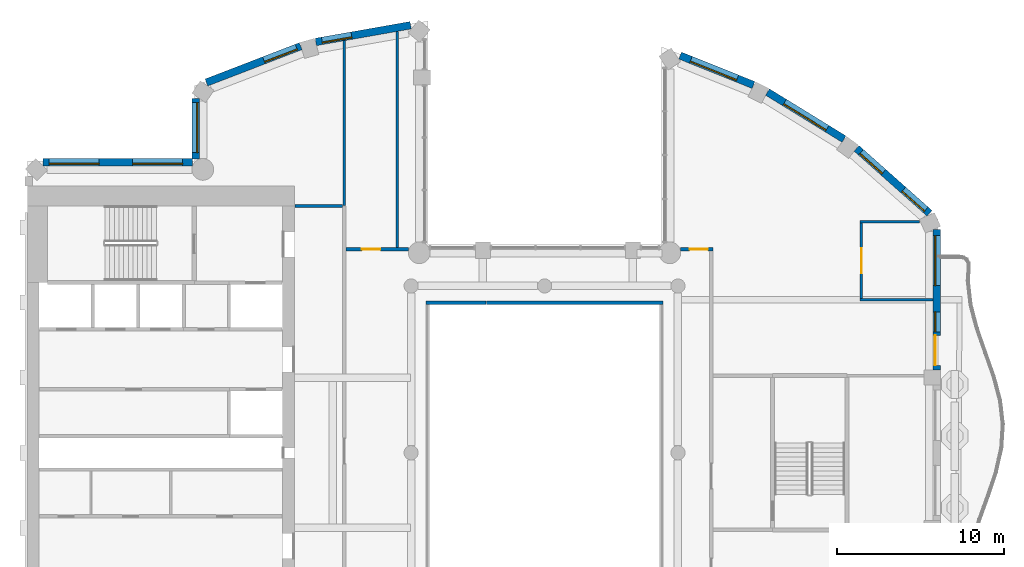
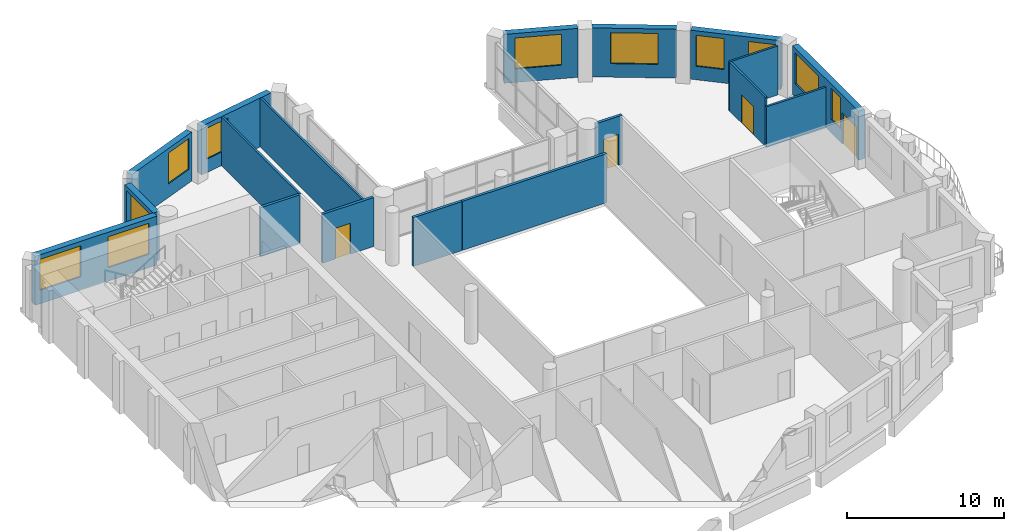
# One storey, part 7 of 14: 18 walls, 11 windows, 4 doors, 15 openings.
"""IFC4 building model written with IfcOpenShell, lengths in metres."""

from ifc_helpers import new_model, si_unit, direction, frame, frame_2d, origin, place, context, subcontext, project, spatial, rectangle, extrude, material, layer, layer_set, type_object, element, fill, save


model = new_model("IFC4")

# Units and contexts
model_context = context("Model", 3, precision=1e-05, world=origin(), true_north=direction((0.0, 1.0)))
body_context = subcontext(model_context, "Body", "Model", "MODEL_VIEW")
ifc_project = project(units=[si_unit("LENGTHUNIT", "METRE"), si_unit("AREAUNIT", "SQUARE_METRE"), si_unit("VOLUMEUNIT", "CUBIC_METRE"), si_unit("PLANEANGLEUNIT", "RADIAN"), si_unit("MASSUNIT", "GRAM", prefix="KILO")], contexts=[model_context])

# Site, building, storey
site_placement = place(None, origin())
site = spatial("IfcSite", under=ifc_project, at=site_placement, CompositionType="ELEMENT")
building_placement = place(site_placement, origin())
building = spatial("IfcBuilding", under=site, at=building_placement, Name="Cypress Arch Tower", CompositionType="ELEMENT")
storey_placement = place(building_placement, frame((0.0, 0.0, 280.300048828125)))
storey = spatial("IfcBuildingStorey", under=building, at=storey_placement, Name="L63", CompositionType="ELEMENT", Elevation=280.300048828125)

# Wall, opening, window
ifc_material_1 = material(Name="Brick (red buff blend)", Category="masonry")
ifc_layer_1 = layer(ifc_material_1, 0.449951171875)
ifc_layer_set_1 = layer_set([ifc_layer_1], Name="Brick pier and spandrel wall BW450")
wall_type_1 = type_object("IfcWallType", Name="Brick pier and spandrel wall BW450", PredefinedType="SOLIDWALL", material=ifc_layer_set_1)
wall_1_placement = place(storey_placement, frame((-7.028564453125, 25.63232421875, 0.0), z_axis=(0.0, 0.0, 1.0), x_axis=(-0.984797606634, -0.173705710808, 0.0)))
wall_1 = element("IfcWall", 1, at=wall_1_placement, inside=storey, type_object=wall_type_1, Name="Brick wall L63 C03.0", PredefinedType="SOLIDWALL", context=body_context, shape_type="SweptSolid", body=[
    extrude(rectangle(XDim=5.772216796875, YDim=0.449951171875, at=frame_2d((2.88623046875, 0.0))), origin(), (0.0, 0.0, 1.0), 3.800048828125),
])
opening_1_placement = place(wall_1_placement, frame((3.59326171875, 0.0, 1.050048828125)))
opening_1 = element("IfcOpeningElement", 2, at=opening_1_placement, cuts=wall_1, Name="Opening W180O", PredefinedType="OPENING", context=body_context, shape_type="SweptSolid", body=[
    extrude(rectangle(XDim=1.800048828125, YDim=2.39990234375, at=frame_2d((0.89990234375, 1.199951171875))), frame((0.0, 0.23486328125, 0.0), z_axis=(0.0, -1.0, 0.0), x_axis=(1.0, 0.0, 0.0)), (0.0, 0.0, 1.0), 0.469970703125),
])
ifc_material_2 = material(Name="Anodised aluminium, bronze finish, clear low-emissivity double glazing", Category="aluminium")
window_type_1 = type_object("IfcWindowType", Name="Window Office 1800x2400", PartitioningType="SINGLE_PANEL", PredefinedType="WINDOW", material=ifc_material_2)
window_1_placement = place(opening_1_placement, origin())
window_1 = element("IfcWindow", 3, at=window_1_placement, inside=storey, type_object=window_type_1, Name="Window L63 C03.0.2", OverallHeight=2.39990234375, OverallWidth=1.800048828125, PartitioningType="SINGLE_PANEL", PredefinedType="WINDOW", context=body_context, shape_type="SweptSolid", body=[
    extrude(rectangle(XDim=1.800048828125, YDim=2.39990234375, at=frame_2d((0.89990234375, 1.199951171875))), frame((0.0, 0.135009765625, 0.0), z_axis=(0.0, -1.0, 0.0), x_axis=(1.0, 0.0, 0.0)), (0.0, 0.0, 1.0), 0.06005859375),
])
fill(opening_1, window_1)

wall_2_placement = place(storey_placement, frame((-13.6220703125, 24.376953125, 0.0), z_axis=(0.0, 0.0, 1.0), x_axis=(-0.933129259679, -0.359541075164, 0.0)))
wall_2 = element("IfcWall", 4, at=wall_2_placement, inside=storey, type_object=wall_type_1, Name="Brick wall L63 C04.0", PredefinedType="SOLIDWALL", context=body_context, shape_type="SweptSolid", body=[
    extrude(rectangle(XDim=6.05419921875, YDim=0.449951171875, at=frame_2d((3.027099609375, 0.0))), origin(), (0.0, 0.0, 1.0), 3.800048828125),
])
opening_2_placement = place(wall_2_placement, frame((0.260986328125, 0.0, 1.050048828125)))
opening_2 = element("IfcOpeningElement", 5, at=opening_2_placement, cuts=wall_2, Name="Opening W210O", PredefinedType="OPENING", context=body_context, shape_type="SweptSolid", body=[
    extrude(rectangle(XDim=2.10009765625, YDim=2.39990234375, at=frame_2d((1.050048828125, 1.199951171875))), frame((0.0, 0.23486328125, 0.0), z_axis=(0.0, -1.0, 0.0), x_axis=(1.0, 0.0, 0.0)), (0.0, 0.0, 1.0), 0.469970703125),
])
ifc_material_3 = material(Name="Anodised aluminium, bronze finish, clear low-emissivity double glazing", Category="aluminium")
window_type_2 = type_object("IfcWindowType", Name="Window Office 2100x2400", PartitioningType="SINGLE_PANEL", PredefinedType="WINDOW", material=ifc_material_3)
window_2_placement = place(opening_2_placement, origin())
window_2 = element("IfcWindow", 6, at=window_2_placement, inside=storey, type_object=window_type_2, Name="Window L63 C04.0.1", OverallHeight=2.39990234375, OverallWidth=2.10009765625, PartitioningType="SINGLE_PANEL", PredefinedType="WINDOW", context=body_context, shape_type="SweptSolid", body=[
    extrude(rectangle(XDim=2.10009765625, YDim=2.39990234375, at=frame_2d((1.050048828125, 1.199951171875))), frame((0.0, 0.135009765625, 0.0), z_axis=(0.0, -1.0, 0.0), x_axis=(1.0, 0.0, 0.0)), (0.0, 0.0, 1.0), 0.06005859375),
])
fill(opening_2, window_2)

wall_3_placement = place(storey_placement, frame((-19.925048828125, 21.248291015625, 0.0), z_axis=(0.0, 0.0, 1.0), x_axis=(0.0, -1.0, 0.0)))
wall_3 = element("IfcWall", 7, at=wall_3_placement, inside=storey, type_object=wall_type_1, Name="Brick wall L63 C05.0", PredefinedType="SOLIDWALL", context=body_context, shape_type="SweptSolid", body=[
    extrude(rectangle(XDim=3.646728515625, YDim=0.449951171875, at=frame_2d((1.8232421875, 0.0))), origin(), (0.0, 0.0, 1.0), 3.800048828125),
])
opening_3_placement = place(wall_3_placement, frame((0.251220703125, 0.0, 1.050048828125)))
opening_3 = element("IfcOpeningElement", 8, at=opening_3_placement, cuts=wall_3, Name="Opening W300O", PredefinedType="OPENING", context=body_context, shape_type="SweptSolid", body=[
    extrude(rectangle(XDim=3.0, YDim=2.39990234375, at=frame_2d((1.5, 1.199951171875))), frame((0.0, 0.23486328125, 0.0), z_axis=(0.0, -1.0, 0.0), x_axis=(1.0, 0.0, 0.0)), (0.0, 0.0, 1.0), 0.469970703125),
])
ifc_material_4 = material(Name="Anodised aluminium, bronze finish, clear low-emissivity double glazing", Category="aluminium")
window_type_3 = type_object("IfcWindowType", Name="Window Office 3000x2400", PartitioningType="SINGLE_PANEL", PredefinedType="WINDOW", material=ifc_material_4)
window_3_placement = place(opening_3_placement, origin())
window_3 = element("IfcWindow", 9, at=window_3_placement, inside=storey, type_object=window_type_3, Name="Window L63 C05.0.1", OverallHeight=2.39990234375, OverallWidth=3.0, PartitioningType="SINGLE_PANEL", PredefinedType="WINDOW", context=body_context, shape_type="SweptSolid", body=[
    extrude(rectangle(XDim=3.0, YDim=2.39990234375, at=frame_2d((1.5, 1.199951171875))), frame((0.0, 0.135009765625, 0.0), z_axis=(0.0, -1.0, 0.0), x_axis=(1.0, 0.0, 0.0)), (0.0, 0.0, 1.0), 0.06005859375),
])
fill(opening_3, window_3)

# Wall, openings, windows
wall_4_placement = place(storey_placement, frame((-20.1015625, 17.425048828125, 0.0), z_axis=(0.0, 0.0, 1.0), x_axis=(-1.0, 0.0, 0.0)))
wall_4 = element("IfcWall", 10, at=wall_4_placement, inside=storey, type_object=wall_type_1, Name="Brick wall L63 C06.0", PredefinedType="SOLIDWALL", context=body_context, shape_type="SweptSolid", body=[
    extrude(rectangle(XDim=8.962158203125, YDim=0.449951171875, at=frame_2d((4.48095703125, 0.0))), origin(), (0.0, 0.0, 1.0), 3.800048828125),
])
opening_4_placement = place(wall_4_placement, frame((0.598388671875, 0.0, 1.050048828125)))
opening_4 = element("IfcOpeningElement", 11, at=opening_4_placement, cuts=wall_4, Name="Opening W300O", PredefinedType="OPENING", context=body_context, shape_type="SweptSolid", body=[
    extrude(rectangle(XDim=3.0, YDim=2.39990234375, at=frame_2d((1.5, 1.199951171875))), frame((0.0, 0.23486328125, 0.0), z_axis=(0.0, -1.0, 0.0), x_axis=(1.0, 0.0, 0.0)), (0.0, 0.0, 1.0), 0.469970703125),
])
opening_5_placement = place(wall_4_placement, frame((5.598388671875, 0.0, 1.050048828125)))
opening_5 = element("IfcOpeningElement", 12, at=opening_5_placement, cuts=wall_4, Name="Opening W300O", PredefinedType="OPENING", context=body_context, shape_type="SweptSolid", body=[
    extrude(rectangle(XDim=3.0, YDim=2.39990234375, at=frame_2d((1.5, 1.199951171875))), frame((0.0, 0.23486328125, 0.0), z_axis=(0.0, -1.0, 0.0), x_axis=(1.0, 0.0, 0.0)), (0.0, 0.0, 1.0), 0.469970703125),
])
window_4_placement = place(opening_4_placement, origin())
window_4 = element("IfcWindow", 13, at=window_4_placement, inside=storey, type_object=window_type_3, Name="Window L63 C06.0.1", OverallHeight=2.39990234375, OverallWidth=3.0, PartitioningType="SINGLE_PANEL", PredefinedType="WINDOW", context=body_context, shape_type="SweptSolid", body=[
    extrude(rectangle(XDim=3.0, YDim=2.39990234375, at=frame_2d((1.5, 1.199951171875))), frame((0.0, 0.135009765625, 0.0), z_axis=(0.0, -1.0, 0.0), x_axis=(1.0, 0.0, 0.0)), (0.0, 0.0, 1.0), 0.06005859375),
])
fill(opening_4, window_4)
window_5_placement = place(opening_5_placement, origin())
window_5 = element("IfcWindow", 14, at=window_5_placement, inside=storey, type_object=window_type_3, Name="Window L63 C06.0.2", OverallHeight=2.39990234375, OverallWidth=3.0, PartitioningType="SINGLE_PANEL", PredefinedType="WINDOW", context=body_context, shape_type="SweptSolid", body=[
    extrude(rectangle(XDim=3.0, YDim=2.39990234375, at=frame_2d((1.5, 1.199951171875))), frame((0.0, 0.135009765625, 0.0), z_axis=(0.0, -1.0, 0.0), x_axis=(1.0, 0.0, 0.0)), (0.0, 0.0, 1.0), 0.06005859375),
])
fill(opening_5, window_5)

# Wall, openings, door, windows
wall_5_placement = place(storey_placement, frame((24.52490234375, 4.949951171875, 0.0), z_axis=(0.0, 0.0, 1.0), x_axis=(0.0, 1.0, 0.0)))
wall_5 = element("IfcWall", 15, at=wall_5_placement, inside=storey, type_object=wall_type_1, Name="Brick wall L63 C17.2", PredefinedType="SOLIDWALL", context=body_context, shape_type="SweptSolid", body=[
    extrude(rectangle(XDim=8.421875, YDim=0.449951171875, at=frame_2d((4.2109375, 0.0))), origin(), (0.0, 0.0, 1.0), 3.800048828125),
])
opening_6_placement = place(wall_5_placement, frame((0.291259765625, 0.0, 0.0)))
opening_6 = element("IfcOpeningElement", 16, at=opening_6_placement, cuts=wall_5, Name="Opening D-L63-C17.2.1", PredefinedType="OPENING", context=body_context, shape_type="SweptSolid", body=[
    extrude(rectangle(XDim=1.800048828125, YDim=2.39990234375, at=frame_2d((0.89990234375, 1.199951171875))), frame((0.0, 0.23486328125, 0.0), z_axis=(0.0, -1.0, 0.0), x_axis=(1.0, 0.0, 0.0)), (0.0, 0.0, 1.0), 0.469970703125),
])
opening_7_placement = place(wall_5_placement, frame((2.291259765625, 0.0, 1.050048828125)))
opening_7 = element("IfcOpeningElement", 17, at=opening_7_placement, cuts=wall_5, Name="Opening W120OD", PredefinedType="OPENING", context=body_context, shape_type="SweptSolid", body=[
    extrude(rectangle(XDim=1.199951171875, YDim=2.39990234375, at=frame_2d((0.60009765625, 1.199951171875))), frame((0.0, 0.23486328125, 0.0), z_axis=(0.0, -1.0, 0.0), x_axis=(1.0, 0.0, 0.0)), (0.0, 0.0, 1.0), 0.469970703125),
])
opening_8_placement = place(wall_5_placement, frame((5.073974609375, 0.0, 1.050048828125)))
opening_8 = element("IfcOpeningElement", 18, at=opening_8_placement, cuts=wall_5, Name="Opening W300OD", PredefinedType="OPENING", context=body_context, shape_type="SweptSolid", body=[
    extrude(rectangle(XDim=3.0, YDim=2.39990234375, at=frame_2d((1.5, 1.199951171875))), frame((0.0, 0.23486328125, 0.0), z_axis=(0.0, -1.0, 0.0), x_axis=(1.0, 0.0, 0.0)), (0.0, 0.0, 1.0), 0.469970703125),
])
ifc_material_5 = material(Name="Anodised aluminium, bronze finish, laminated low-emissivity double glazing, large-missile impact rated", Category="aluminium")
door_type_1 = type_object("IfcDoorType", Name="Balcony sliding door 1800x2400", OperationType="SLIDING_TO_LEFT", PredefinedType="DOOR", material=ifc_material_5)
door_1_placement = place(opening_6_placement, origin())
door_1 = element("IfcDoor", 19, at=door_1_placement, inside=storey, type_object=door_type_1, Name="Balcony door L63 C17.2.1", OperationType="SLIDING_TO_LEFT", OverallHeight=2.39990234375, OverallWidth=1.800048828125, PredefinedType="DOOR", context=body_context, shape_type="SweptSolid", body=[
    extrude(rectangle(XDim=1.800048828125, YDim=2.39990234375, at=frame_2d((0.89990234375, 1.199951171875))), frame((0.0, 0.1298828125, 0.0), z_axis=(0.0, -1.0, 0.0), x_axis=(1.0, 0.0, 0.0)), (0.0, 0.0, 1.0), 0.050048828125),
])
fill(opening_6, door_1)
ifc_material_6 = material(Name="Anodised aluminium, bronze finish, laminated low-emissivity double glazing, large-missile impact rated", Category="aluminium")
window_type_4 = type_object("IfcWindowType", Name="Window Office 1200x2400 debris-rated", PartitioningType="SINGLE_PANEL", PredefinedType="WINDOW", material=ifc_material_6)
window_6_placement = place(opening_7_placement, origin())
window_6 = element("IfcWindow", 20, at=window_6_placement, inside=storey, type_object=window_type_4, Name="Window L63 C17.2.1", OverallHeight=2.39990234375, OverallWidth=1.199951171875, PartitioningType="SINGLE_PANEL", PredefinedType="WINDOW", context=body_context, shape_type="SweptSolid", body=[
    extrude(rectangle(XDim=1.199951171875, YDim=2.39990234375, at=frame_2d((0.60009765625, 1.199951171875))), frame((0.0, 0.135009765625, 0.0), z_axis=(0.0, -1.0, 0.0), x_axis=(1.0, 0.0, 0.0)), (0.0, 0.0, 1.0), 0.06005859375),
])
fill(opening_7, window_6)
ifc_material_7 = material(Name="Anodised aluminium, bronze finish, laminated low-emissivity double glazing, large-missile impact rated", Category="aluminium")
window_type_5 = type_object("IfcWindowType", Name="Window Office 3000x2400 debris-rated", PartitioningType="SINGLE_PANEL", PredefinedType="WINDOW", material=ifc_material_7)
window_7_placement = place(opening_8_placement, origin())
window_7 = element("IfcWindow", 21, at=window_7_placement, inside=storey, type_object=window_type_5, Name="Window L63 C17.2.2", OverallHeight=2.39990234375, OverallWidth=3.0, PartitioningType="SINGLE_PANEL", PredefinedType="WINDOW", context=body_context, shape_type="SweptSolid", body=[
    extrude(rectangle(XDim=3.0, YDim=2.39990234375, at=frame_2d((1.5, 1.199951171875))), frame((0.0, 0.135009765625, 0.0), z_axis=(0.0, -1.0, 0.0), x_axis=(1.0, 0.0, 0.0)), (0.0, 0.0, 1.0), 0.06005859375),
])
fill(opening_8, window_7)

# Wall, openings, windows
wall_6_placement = place(storey_placement, frame((24.08056640625, 14.361083984375, 0.0), z_axis=(0.0, 0.0, 1.0), x_axis=(-0.747570482973, 0.664182484704, 0.0)))
wall_6 = element("IfcWall", 22, at=wall_6_placement, inside=storey, type_object=wall_type_1, Name="Brick wall L63 C18.0", PredefinedType="SOLIDWALL", context=body_context, shape_type="SweptSolid", body=[
    extrude(rectangle(XDim=5.849609375, YDim=0.449951171875, at=frame_2d((2.9248046875, 0.0))), origin(), (0.0, 0.0, 1.0), 3.800048828125),
])
opening_9_placement = place(wall_6_placement, frame((0.305419921875, 0.0, 1.050048828125)))
opening_9 = element("IfcOpeningElement", 23, at=opening_9_placement, cuts=wall_6, Name="Opening W180O", PredefinedType="OPENING", context=body_context, shape_type="SweptSolid", body=[
    extrude(rectangle(XDim=1.800048828125, YDim=2.39990234375, at=frame_2d((0.89990234375, 1.199951171875))), frame((0.0, 0.23486328125, 0.0), z_axis=(0.0, -1.0, 0.0), x_axis=(1.0, 0.0, 0.0)), (0.0, 0.0, 1.0), 0.469970703125),
])
opening_10_placement = place(wall_6_placement, frame((3.702880859375, 0.0, 1.050048828125)))
opening_10 = element("IfcOpeningElement", 24, at=opening_10_placement, cuts=wall_6, Name="Opening W180O", PredefinedType="OPENING", context=body_context, shape_type="SweptSolid", body=[
    extrude(rectangle(XDim=1.800048828125, YDim=2.39990234375, at=frame_2d((0.89990234375, 1.199951171875))), frame((0.0, 0.23486328125, 0.0), z_axis=(0.0, -1.0, 0.0), x_axis=(1.0, 0.0, 0.0)), (0.0, 0.0, 1.0), 0.469970703125),
])
window_8_placement = place(opening_9_placement, origin())
window_8 = element("IfcWindow", 25, at=window_8_placement, inside=storey, type_object=window_type_1, Name="Window L63 C18.0.1", OverallHeight=2.39990234375, OverallWidth=1.800048828125, PartitioningType="SINGLE_PANEL", PredefinedType="WINDOW", context=body_context, shape_type="SweptSolid", body=[
    extrude(rectangle(XDim=1.800048828125, YDim=2.39990234375, at=frame_2d((0.89990234375, 1.199951171875))), frame((0.0, 0.135009765625, 0.0), z_axis=(0.0, -1.0, 0.0), x_axis=(1.0, 0.0, 0.0)), (0.0, 0.0, 1.0), 0.06005859375),
])
fill(opening_9, window_8)
window_9_placement = place(opening_10_placement, origin())
window_9 = element("IfcWindow", 26, at=window_9_placement, inside=storey, type_object=window_type_1, Name="Window L63 C18.0.2", OverallHeight=2.39990234375, OverallWidth=1.800048828125, PartitioningType="SINGLE_PANEL", PredefinedType="WINDOW", context=body_context, shape_type="SweptSolid", body=[
    extrude(rectangle(XDim=1.800048828125, YDim=2.39990234375, at=frame_2d((0.89990234375, 1.199951171875))), frame((0.0, 0.135009765625, 0.0), z_axis=(0.0, -1.0, 0.0), x_axis=(1.0, 0.0, 0.0)), (0.0, 0.0, 1.0), 0.06005859375),
])
fill(opening_10, window_9)

# Wall, opening, window
wall_7_placement = place(storey_placement, frame((18.953369140625, 18.806396484375, 0.0), z_axis=(0.0, 0.0, 1.0), x_axis=(-0.851860664503, 0.523768468193, 0.0)))
wall_7 = element("IfcWall", 27, at=wall_7_placement, inside=storey, type_object=wall_type_1, Name="Brick wall L63 C19.0", PredefinedType="SOLIDWALL", context=body_context, shape_type="SweptSolid", body=[
    extrude(rectangle(XDim=5.3837890625, YDim=0.449951171875, at=frame_2d((2.69189453125, 0.0))), origin(), (0.0, 0.0, 1.0), 3.800048828125),
])
opening_11_placement = place(wall_7_placement, frame((1.19189453125, 0.0, 1.050048828125)))
opening_11 = element("IfcOpeningElement", 28, at=opening_11_placement, cuts=wall_7, Name="Opening W300O", PredefinedType="OPENING", context=body_context, shape_type="SweptSolid", body=[
    extrude(rectangle(XDim=3.0, YDim=2.39990234375, at=frame_2d((1.5, 1.199951171875))), frame((0.0, 0.23486328125, 0.0), z_axis=(0.0, -1.0, 0.0), x_axis=(1.0, 0.0, 0.0)), (0.0, 0.0, 1.0), 0.469970703125),
])
window_10_placement = place(opening_11_placement, origin())
window_10 = element("IfcWindow", 29, at=window_10_placement, inside=storey, type_object=window_type_3, Name="Window L63 C19.0.1", OverallHeight=2.39990234375, OverallWidth=3.0, PartitioningType="SINGLE_PANEL", PredefinedType="WINDOW", context=body_context, shape_type="SweptSolid", body=[
    extrude(rectangle(XDim=3.0, YDim=2.39990234375, at=frame_2d((1.5, 1.199951171875))), frame((0.0, 0.135009765625, 0.0), z_axis=(0.0, -1.0, 0.0), x_axis=(1.0, 0.0, 0.0)), (0.0, 0.0, 1.0), 0.06005859375),
])
fill(opening_11, window_10)

wall_8_placement = place(storey_placement, frame((13.529296875, 22.04833984375, 0.0), z_axis=(0.0, 0.0, 1.0), x_axis=(-0.927957332619, 0.372686448424, 0.0)))
wall_8 = element("IfcWall", 30, at=wall_8_placement, inside=storey, type_object=wall_type_1, Name="Brick wall L63 C20.0", PredefinedType="SOLIDWALL", context=body_context, shape_type="SweptSolid", body=[
    extrude(rectangle(XDim=4.741455078125, YDim=0.449951171875, at=frame_2d((2.37060546875, 0.0))), origin(), (0.0, 0.0, 1.0), 3.800048828125),
])
opening_12_placement = place(wall_8_placement, frame((1.046630859375, 0.0, 1.050048828125)))
opening_12 = element("IfcOpeningElement", 31, at=opening_12_placement, cuts=wall_8, Name="Opening W300O", PredefinedType="OPENING", context=body_context, shape_type="SweptSolid", body=[
    extrude(rectangle(XDim=3.0, YDim=2.39990234375, at=frame_2d((1.5, 1.199951171875))), frame((0.0, 0.23486328125, 0.0), z_axis=(0.0, -1.0, 0.0), x_axis=(1.0, 0.0, 0.0)), (0.0, 0.0, 1.0), 0.469970703125),
])
window_11_placement = place(opening_12_placement, origin())
window_11 = element("IfcWindow", 32, at=window_11_placement, inside=storey, type_object=window_type_3, Name="Window L63 C20.0.1", OverallHeight=2.39990234375, OverallWidth=3.0, PartitioningType="SINGLE_PANEL", PredefinedType="WINDOW", context=body_context, shape_type="SweptSolid", body=[
    extrude(rectangle(XDim=3.0, YDim=2.39990234375, at=frame_2d((1.5, 1.199951171875))), frame((0.0, 0.135009765625, 0.0), z_axis=(0.0, -1.0, 0.0), x_axis=(1.0, 0.0, 0.0)), (0.0, 0.0, 1.0), 0.06005859375),
])
fill(opening_12, window_11)

# Wall
ifc_material_8 = material(Name="Concrete blockwork, plastered, rated", Category="masonry")
ifc_layer_2 = layer(ifc_material_8, 0.199951171875)
ifc_layer_set_2 = layer_set([ifc_layer_2], Name="Corridor wall FW200")
wall_type_2 = type_object("IfcWallType", Name="Corridor wall FW200", PredefinedType="PARTITIONING", material=ifc_layer_set_2)
wall_9_placement = place(storey_placement, frame((-13.969970703125, 14.800048828125, 0.0), z_axis=(0.0, 0.0, 1.0), x_axis=(1.0, 0.0, 0.0)))
element("IfcWall", 33, at=wall_9_placement, inside=storey, type_object=wall_type_2, Name="Corridor wall", PredefinedType="PARTITIONING", context=body_context, shape_type="SweptSolid", body=[
    extrude(rectangle(XDim=2.869873046875, YDim=0.199951171875, at=frame_2d((1.43505859375, 0.0))), origin(), (0.0, 0.0, 1.0), 3.800048828125),
])

# Wall, opening, door
wall_10_placement = place(storey_placement, frame((-10.89990234375, 12.199951171875, 0.0), z_axis=(0.0, 0.0, 1.0), x_axis=(1.0, 0.0, 0.0)))
wall_10 = element("IfcWall", 34, at=wall_10_placement, inside=storey, type_object=wall_type_2, Name="Corridor wall", PredefinedType="PARTITIONING", context=body_context, shape_type="SweptSolid", body=[
    extrude(rectangle(XDim=3.756103515625, YDim=0.199951171875, at=frame_2d((1.8779296875, 0.0))), origin(), (0.0, 0.0, 1.0), 3.800048828125),
])
opening_13_placement = place(wall_10_placement, frame((0.949951171875, 0.0, 0.0)))
opening_13 = element("IfcOpeningElement", 35, at=opening_13_placement, cuts=wall_10, Name="Opening D01", PredefinedType="OPENING", context=body_context, shape_type="SweptSolid", body=[
    extrude(rectangle(XDim=1.10009765625, YDim=2.39990234375, at=frame_2d((0.550048828125, 1.199951171875))), frame((0.0, 0.10986328125, 0.0), z_axis=(0.0, -1.0, 0.0), x_axis=(1.0, 0.0, 0.0)), (0.0, 0.0, 1.0), 0.219970703125),
])
ifc_material_9 = material(Name="Timber flush door, fire resisting, self-closing", Category="wood")
door_type_2 = type_object("IfcDoorType", Name="Unit entrance door D01 1100x2400", OperationType="SINGLE_SWING_LEFT", PredefinedType="DOOR", material=ifc_material_9)
door_2_placement = place(opening_13_placement, origin())
door_2 = element("IfcDoor", 36, at=door_2_placement, inside=storey, type_object=door_type_2, Name="Unit entrance door", OperationType="SINGLE_SWING_RIGHT", OverallHeight=2.39990234375, OverallWidth=1.10009765625, PredefinedType="DOOR", context=body_context, shape_type="SweptSolid", body=[
    extrude(rectangle(XDim=1.10009765625, YDim=2.39990234375, at=frame_2d((0.550048828125, 1.199951171875))), frame((0.0, 0.02490234375, 0.0), z_axis=(0.0, -1.0, 0.0), x_axis=(1.0, 0.0, 0.0)), (0.0, 0.0, 1.0), 0.050048828125),
])
fill(opening_13, door_2)

# Walls
wall_11_placement = place(storey_placement, frame((-6.10009765625, 9.0, 0.0), z_axis=(0.0, 0.0, 1.0), x_axis=(1.0, 0.0, 0.0)))
element("IfcWall", 37, at=wall_11_placement, inside=storey, type_object=wall_type_2, Name="Corridor wall", PredefinedType="PARTITIONING", context=body_context, shape_type="SweptSolid", body=[
    extrude(rectangle(XDim=3.580078125, YDim=0.199951171875, at=frame_2d((1.7900390625, 0.0))), origin(), (0.0, 0.0, 1.0), 3.800048828125),
])
wall_12_placement = place(storey_placement, frame((-2.47998046875, 9.0, 0.0), z_axis=(0.0, 0.0, 1.0), x_axis=(1.0, 0.0, 0.0)))
element("IfcWall", 38, at=wall_12_placement, inside=storey, type_object=wall_type_2, Name="Corridor wall", PredefinedType="PARTITIONING", context=body_context, shape_type="SweptSolid", body=[
    extrude(rectangle(XDim=10.580078125, YDim=0.199951171875, at=frame_2d((5.2900390625, 0.0))), origin(), (0.0, 0.0, 1.0), 3.800048828125),
])

# Wall, opening, door
wall_13_placement = place(storey_placement, frame((9.143798828125, 12.199951171875, 0.0), z_axis=(0.0, 0.0, 1.0), x_axis=(1.0, 0.0, 0.0)))
wall_13 = element("IfcWall", 39, at=wall_13_placement, inside=storey, type_object=wall_type_2, Name="Corridor wall", PredefinedType="PARTITIONING", context=body_context, shape_type="SweptSolid", body=[
    extrude(rectangle(XDim=1.956298828125, YDim=0.199951171875, at=frame_2d((0.97802734375, 0.0))), origin(), (0.0, 0.0, 1.0), 3.800048828125),
])
opening_14_placement = place(wall_13_placement, frame((0.550048828125, 0.0, 0.0)))
opening_14 = element("IfcOpeningElement", 40, at=opening_14_placement, cuts=wall_13, Name="Opening D01", PredefinedType="OPENING", context=body_context, shape_type="SweptSolid", body=[
    extrude(rectangle(XDim=1.10009765625, YDim=2.39990234375, at=frame_2d((0.550048828125, 1.199951171875))), frame((0.0, 0.10986328125, 0.0), z_axis=(0.0, -1.0, 0.0), x_axis=(1.0, 0.0, 0.0)), (0.0, 0.0, 1.0), 0.219970703125),
])
door_3_placement = place(opening_14_placement, origin())
door_3 = element("IfcDoor", 41, at=door_3_placement, inside=storey, type_object=door_type_2, Name="Unit entrance door", OperationType="SINGLE_SWING_LEFT", OverallHeight=2.39990234375, OverallWidth=1.10009765625, PredefinedType="DOOR", context=body_context, shape_type="SweptSolid", body=[
    extrude(rectangle(XDim=1.10009765625, YDim=2.39990234375, at=frame_2d((0.550048828125, 1.199951171875))), frame((0.0, 0.02490234375, 0.0), z_axis=(0.0, -1.0, 0.0), x_axis=(1.0, 0.0, 0.0)), (0.0, 0.0, 1.0), 0.050048828125),
])
fill(opening_14, door_3)

# Walls
ifc_material_10 = material(Name="Blockwork, plastered both sides", Category="masonry")
ifc_layer_3 = layer(ifc_material_10, 0.14990234375)
ifc_layer_set_3 = layer_set([ifc_layer_3], Name="Partition PW150")
wall_type_3 = type_object("IfcWallType", Name="Partition PW150", PredefinedType="PARTITIONING", material=ifc_layer_set_3)
wall_14_placement = place(storey_placement, frame((-11.0, 14.820068359375, 0.0), z_axis=(0.0, 0.0, 1.0), x_axis=(0.0, 1.0, 0.0)))
element("IfcWall", 42, at=wall_14_placement, inside=storey, type_object=wall_type_3, Name="Partition", PredefinedType="PARTITIONING", context=body_context, shape_type="SweptSolid", body=[
    extrude(rectangle(XDim=9.88330078125, YDim=0.14990234375, at=frame_2d((4.941650390625, 0.0))), origin(), (0.0, 0.0, 1.0), 3.800048828125),
])
wall_15_placement = place(storey_placement, frame((-7.830810546875, 12.320068359375, 0.0), z_axis=(0.0, 0.0, 1.0), x_axis=(0.0, 1.0, 0.0)))
element("IfcWall", 43, at=wall_15_placement, inside=storey, type_object=wall_type_3, Name="Partition", PredefinedType="PARTITIONING", context=body_context, shape_type="SweptSolid", body=[
    extrude(rectangle(XDim=12.9423828125, YDim=0.14990234375, at=frame_2d((6.47119140625, 0.0))), origin(), (0.0, 0.0, 1.0), 3.800048828125),
])

# Wall, opening, door
wall_16_placement = place(storey_placement, frame((20.0, 9.258056640625, 0.0), z_axis=(0.0, 0.0, 1.0), x_axis=(0.0, 1.0, 0.0)))
wall_16 = element("IfcWall", 44, at=wall_16_placement, inside=storey, type_object=wall_type_3, Name="Partition", PredefinedType="PARTITIONING", context=body_context, shape_type="SweptSolid", body=[
    extrude(rectangle(XDim=4.531982421875, YDim=0.14990234375, at=frame_2d((2.26611328125, 0.0))), origin(), (0.0, 0.0, 1.0), 3.800048828125),
])
opening_15_placement = place(wall_16_placement, frame((1.5, 0.0, 0.0)))
opening_15 = element("IfcOpeningElement", 45, at=opening_15_placement, cuts=wall_16, Name="Opening D04", PredefinedType="OPENING", context=body_context, shape_type="SweptSolid", body=[
    extrude(rectangle(XDim=1.5, YDim=2.199951171875, at=frame_2d((0.75, 1.10009765625))), frame((0.0, 0.0849609375, 0.0), z_axis=(0.0, -1.0, 0.0), x_axis=(1.0, 0.0, 0.0)), (0.0, 0.0, 1.0), 0.169921875),
])
ifc_material_11 = material(Name="Timber double door", Category="wood")
door_type_3 = type_object("IfcDoorType", Name="Double door D04 1500x2200", OperationType="DOUBLE_DOOR_SINGLE_SWING", PredefinedType="DOOR", material=ifc_material_11)
door_4_placement = place(opening_15_placement, origin())
door_4 = element("IfcDoor", 46, at=door_4_placement, inside=storey, type_object=door_type_3, Name="Double door", OperationType="DOUBLE_DOOR_SINGLE_SWING", OverallHeight=2.199951171875, OverallWidth=1.5, PredefinedType="DOOR", context=body_context, shape_type="SweptSolid", body=[
    extrude(rectangle(XDim=1.5, YDim=2.199951171875, at=frame_2d((0.75, 1.10009765625))), frame((0.0, 0.02490234375, 0.0), z_axis=(0.0, -1.0, 0.0), x_axis=(1.0, 0.0, 0.0)), (0.0, 0.0, 1.0), 0.050048828125),
])
fill(opening_15, door_4)

# Walls
wall_17_placement = place(storey_placement, frame((19.925048828125, 9.18310546875, 0.0), z_axis=(0.0, 0.0, 1.0), x_axis=(1.0, 0.0, 0.0)))
element("IfcWall", 47, at=wall_17_placement, inside=storey, type_object=wall_type_3, Name="Partition", PredefinedType="PARTITIONING", context=body_context, shape_type="SweptSolid", body=[
    extrude(rectangle(XDim=4.375, YDim=0.14990234375, at=frame_2d((2.1875, 0.0))), origin(), (0.0, 0.0, 1.0), 3.14990234375),
])
wall_18_placement = place(storey_placement, frame((19.925048828125, 13.864990234375, 0.0), z_axis=(0.0, 0.0, 1.0), x_axis=(1.0, 0.0, 0.0)))
element("IfcWall", 48, at=wall_18_placement, inside=storey, type_object=wall_type_3, Name="Partition", PredefinedType="PARTITIONING", context=body_context, shape_type="SweptSolid", body=[
    extrude(rectangle(XDim=3.568115234375, YDim=0.14990234375, at=frame_2d((1.7841796875, 0.0))), origin(), (0.0, 0.0, 1.0), 3.800048828125),
])

save(model, "model.ifc")
